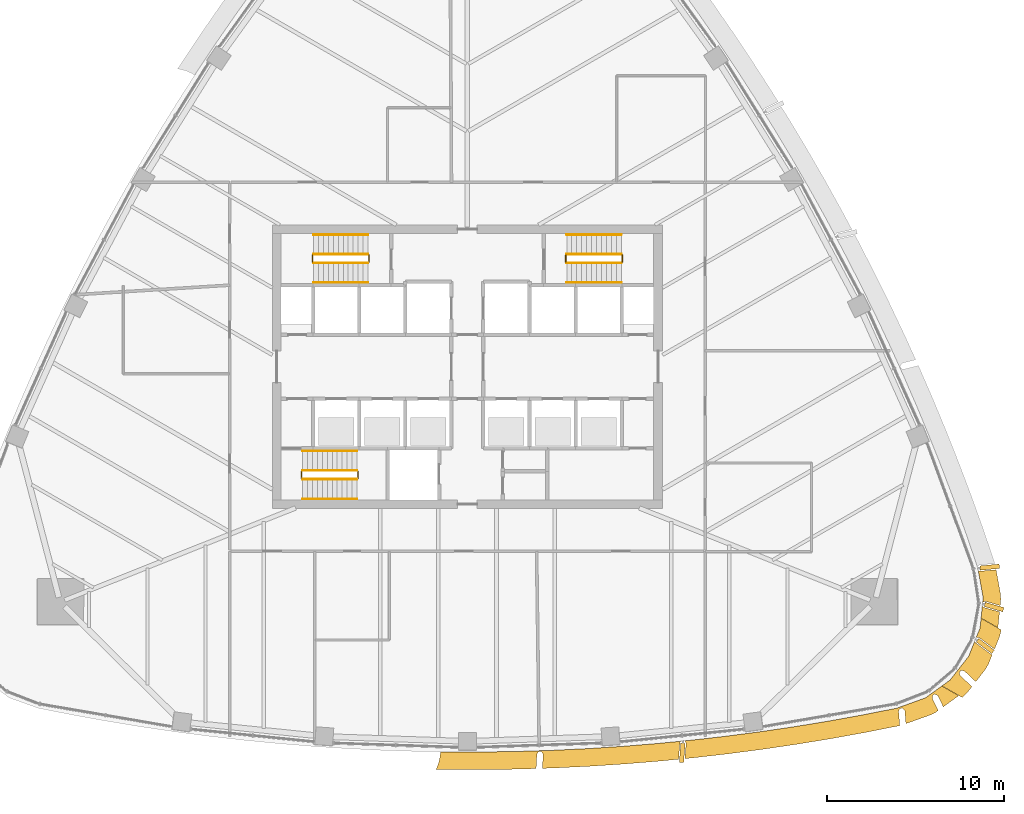
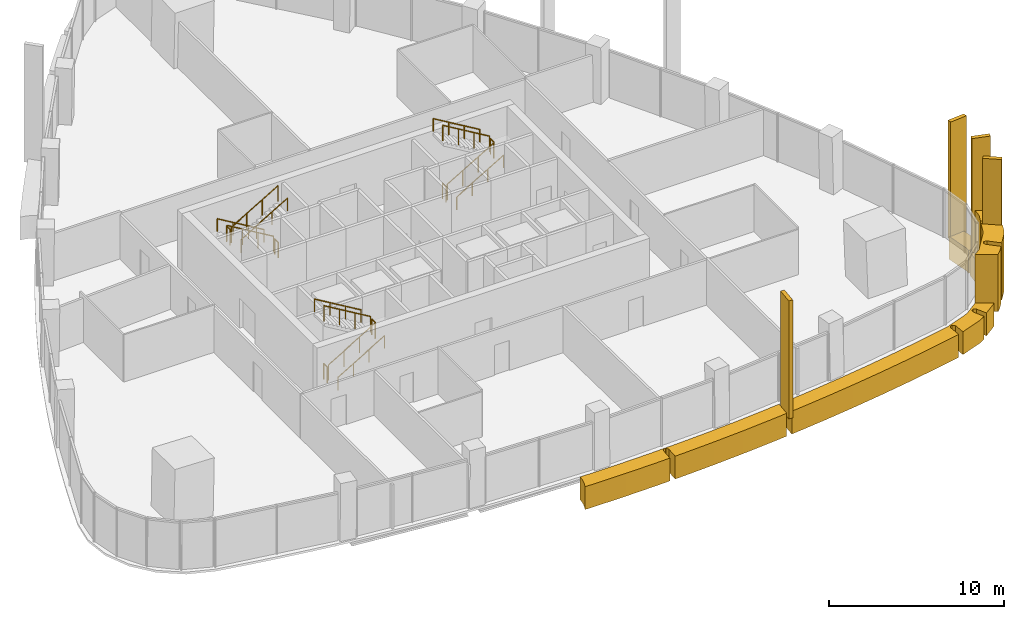
# One storey, part 15 of 17: 18 railings, 10 coverings.
"""IFC4 building model written with IfcOpenShell, lengths in metres."""

from ifc_helpers import new_model, si_unit, direction, frame, origin, origin_2d, place, context, subcontext, project, spatial, polyline, rectangle, circle, outline, extrude, material, layer, layer_set, material_profile, profile_set, type_object, element, save


model = new_model("IFC4")

# Units and contexts
model_context = context("Model", 3, precision=1e-05, world=origin(), true_north=direction((0.0, 1.0)))
body_context = subcontext(model_context, "Body", "Model", "MODEL_VIEW")
ifc_project = project(units=[si_unit("LENGTHUNIT", "METRE"), si_unit("AREAUNIT", "SQUARE_METRE"), si_unit("VOLUMEUNIT", "CUBIC_METRE"), si_unit("PLANEANGLEUNIT", "RADIAN"), si_unit("MASSUNIT", "GRAM", prefix="KILO")], contexts=[model_context])

# Site, building, storey
site_placement = place(None, origin())
site = spatial("IfcSite", under=ifc_project, at=site_placement, CompositionType="ELEMENT")
building_placement = place(site_placement, origin())
building = spatial("IfcBuilding", under=site, at=building_placement, Name="Sierra Prisma Convention Tower", CompositionType="ELEMENT")
storey_placement = place(building_placement, frame((0.0, 0.0, 201.800048828125)))
storey = spatial("IfcBuildingStorey", under=building, at=storey_placement, Name="L45", CompositionType="ELEMENT", Elevation=201.800048828125)

# Coverings
ifc_material_1 = material(Name="Aluminium composite bronze anodised", Category="aluminium")
ifc_layer_1 = layer(ifc_material_1, 1.199951171875)
ifc_layer_set_1 = layer_set([ifc_layer_1], Name="Bronze corner pier")
covering_type_1 = type_object("IfcCoveringType", Name="Bronze corner pier", PredefinedType="CLADDING", material=ifc_layer_set_1)
covering_1_placement = place(storey_placement, frame((0.0, 0.0, -0.60009765625)))
element("IfcCovering", 1, at=covering_1_placement, inside=storey, type_object=covering_type_1, Name="Corner pier SE L45.1", PredefinedType="CLADDING", context=body_context, shape_type="SweptSolid", body=[
    extrude(outline(polyline([(27.8369140625, -17.12353515625), (27.832275390625, -17.123779296875), (27.827392578125, -17.124755859375), (27.822998046875, -17.126220703125), (27.818359375, -17.1279296875), (27.814208984375, -17.130126953125), (27.81005859375, -17.1328125), (27.806396484375, -17.1357421875), (27.802978515625, -17.138916015625), (27.7998046875, -17.142578125), (27.73828125, -17.22119140625), (27.7353515625, -17.225341796875), (27.73291015625, -17.2294921875), (27.73095703125, -17.23388671875), (27.7294921875, -17.238525390625), (27.728271484375, -17.243408203125), (27.727783203125, -17.248046875), (27.7275390625, -17.2529296875), (27.727783203125, -17.2578125), (27.728515625, -17.2626953125), (27.72998046875, -17.267333984375), (27.769775390625, -17.393310546875), (27.771484375, -17.39794921875), (27.77392578125, -17.402587890625), (27.776611328125, -17.406982421875), (27.77978515625, -17.410888671875), (27.783203125, -17.41455078125), (28.4404296875, -18.02880859375), (28.146484375, -18.404052734375), (27.904296875, -18.63720703125), (27.893798828125, -18.644775390625), (26.754638671875, -17.987060546875), (27.20166015625, -17.664306640625), (28.25830078125, -16.31494140625), (28.597412109375, -15.47314453125), (28.632568359375, -15.5361328125), (28.63525390625, -15.54052734375), (28.638427734375, -15.544677734375), (28.64208984375, -15.548583984375), (28.64599609375, -15.5517578125), (29.525390625, -16.212890625), (29.529296875, -16.2158203125), (29.53369140625, -16.218017578125), (29.5380859375, -16.219970703125), (29.54296875, -16.221435546875), (29.547607421875, -16.222412109375), (29.552490234375, -16.222900390625), (29.5576171875, -16.222900390625), (29.562255859375, -16.222412109375), (29.567138671875, -16.2216796875), (29.572021484375, -16.22021484375), (29.576416015625, -16.21826171875), (29.580810546875, -16.216064453125), (29.5849609375, -16.21337890625), (29.588623046875, -16.210205078125), (29.59228515625, -16.206787109375), (29.59521484375, -16.202880859375), (29.598876953125, -16.1982421875), (29.37109375, -16.76318359375), (29.203125, -17.0546875), (28.656982421875, -17.751953125), (28.022216796875, -17.158935546875), (28.0185546875, -17.155517578125), (28.014404296875, -17.15283203125), (28.010009765625, -17.150390625), (28.005126953125, -17.1484375), (28.00048828125, -17.14697265625), (27.99560546875, -17.14599609375), (27.846435546875, -17.123779296875), (27.841796875, -17.12353515625), (27.8369140625, -17.12353515625)])), origin(), (0.0, 0.0, 1.0), 4.0),
])
covering_2_placement = place(storey_placement, frame((0.0, 0.0, -0.60009765625)))
element("IfcCovering", 2, at=covering_2_placement, inside=storey, type_object=covering_type_1, Name="Corner pier SE L45.2", PredefinedType="CLADDING", context=body_context, shape_type="SweptSolid", body=[
    extrude(outline(polyline([(28.847900390625, -15.266845703125), (28.843505859375, -15.264892578125), (28.838623046875, -15.263671875), (28.833740234375, -15.2626953125), (28.828857421875, -15.26220703125), (28.823974609375, -15.26220703125), (28.67919921875, -15.26953125), (28.898681640625, -14.72509765625), (28.95458984375, -14.176513671875), (30.09375, -14.834228515625), (30.09228515625, -14.84716796875), (30.01171875, -15.173583984375), (29.712646484375, -15.916015625), (28.8564453125, -15.272216796875), (28.852294921875, -15.269287109375), (28.847900390625, -15.266845703125)])), origin(), (0.0, 0.0, 1.0), 4.0),
])
ifc_material_2 = material(Name="Aluminium 6063-T6 bronze anodised", Category="aluminium")
ifc_material_profile = material_profile(ifc_material_2, rectangle(XDim=1.10009765625, YDim=0.25, at=origin_2d()), Name="ALU FIN 1100x250")
ifc_profile_set = profile_set([ifc_material_profile], Name="Aluminium 6063-T6 bronze anodised")
covering_type_2 = type_object("IfcCoveringType", Name="Bronze facade fin", PredefinedType="CLADDING", material=ifc_profile_set)
for number, where, z_axis, x_axis, name in (
    (3, (12.1083984375, -21.764892578125, -0.300048828125), (0.0, 0.0, 1.0), (-0.076754692567, -0.997050007356, 0.0), "Fin L45.14"),
    (4, (29.19091796875, -15.742431640625, -0.300048828125), (0.0, 0.0, 1.0), (0.799226135761, -0.6010304351, 0.0), "Fin L45.21"),
    (5, (29.684326171875, -13.54345703125, -0.300048828125), (0.0, 0.0, 1.0), (0.962069589913, -0.272804149832, 0.0), "Fin L45.22"),
    (6, (29.438720703125, -11.29638671875, -0.300048828125), (0.0, 0.0, 1.0), (0.99575473511, 0.092046224834, 0.0), "Fin L45.23"),
):
    element("IfcCovering", number, at=place(storey_placement, frame(where, z_axis=z_axis, x_axis=x_axis)), inside=storey, type_object=covering_type_2, Name=name, ObjectType="FIN", PredefinedType="CLADDING", context=body_context, shape_type="SweptSolid", body=[
        extrude(rectangle(XDim=1.10009765625, YDim=0.25, at=origin_2d()), origin(), (0.0, 0.0, 1.0), 8.25),
    ])
ifc_material_3 = material(Name="Aluminium composite bronze anodised", Category="aluminium")
ifc_layer_2 = layer(ifc_material_3, 1.0)
ifc_layer_set_2 = layer_set([ifc_layer_2], Name="Bronze spandrel band")
covering_type_3 = type_object("IfcCoveringType", Name="Bronze spandrel band", PredefinedType="CLADDING", material=ifc_layer_set_2)
covering_3_placement = place(storey_placement, frame((0.0, 0.0, -1.60009765625)))
element("IfcCovering", 7, at=covering_3_placement, inside=storey, type_object=covering_type_3, Name="Spandrel band L45.2", PredefinedType="CLADDING", context=body_context, shape_type="SweptSolid", body=[
    extrude(outline(polyline([(-0.974609375, -21.713134765625), (0.974609375, -21.713134765625), (2.923583984375, -21.681396484375), (4.8720703125, -21.617919921875), (6.819091796875, -21.522705078125), (8.76416015625, -21.39599609375), (10.70703125, -21.2373046875), (12.027099609375, -21.10791015625), (11.98291015625, -21.18115234375), (11.980712890625, -21.185302734375), (11.97900390625, -21.189453125), (11.9775390625, -21.19384765625), (11.9765625, -21.198486328125), (11.97607421875, -21.202880859375), (11.905029296875, -22.124755859375), (10.8046875, -22.232666015625), (10.78857421875, -22.23388671875), (8.845703125, -22.392578125), (8.829345703125, -22.393798828125), (6.884033203125, -22.5205078125), (6.867919921875, -22.521484375), (4.9208984375, -22.61669921875), (4.904541015625, -22.617431640625), (4.22509765625, -22.6396484375), (4.267578125, -21.864990234375), (4.267578125, -21.860107421875), (4.26708984375, -21.85498046875), (4.26611328125, -21.85009765625), (4.2646484375, -21.84521484375), (4.2626953125, -21.840576171875), (4.26025390625, -21.836181640625), (4.181396484375, -21.707763671875), (4.1787109375, -21.703857421875), (4.17578125, -21.7001953125), (4.17236328125, -21.69677734375), (4.168701171875, -21.693603515625), (4.16455078125, -21.691162109375), (4.160400390625, -21.688720703125), (4.156005859375, -21.68701171875), (4.1513671875, -21.685546875), (4.146728515625, -21.6845703125), (4.14208984375, -21.68408203125), (4.13720703125, -21.683837890625), (4.037353515625, -21.687255859375), (4.032470703125, -21.6875), (4.027587890625, -21.6884765625), (4.02294921875, -21.689697265625), (4.018310546875, -21.69140625), (4.01416015625, -21.693603515625), (4.010009765625, -21.6962890625), (4.006103515625, -21.69921875), (4.002685546875, -21.70263671875), (3.99951171875, -21.706298828125), (3.99658203125, -21.710205078125), (3.92578125, -21.82177734375), (3.923095703125, -21.826171875), (3.921142578125, -21.830810546875), (3.919677734375, -21.835693359375), (3.918701171875, -21.8408203125), (3.91796875, -21.845947265625), (3.873779296875, -22.65087890625), (2.956298828125, -22.680908203125), (2.93994140625, -22.681396484375), (0.990966796875, -22.712890625), (0.974609375, -22.713134765625), (-0.974609375, -22.713134765625), (-0.990966796875, -22.712890625), (-1.77197265625, -22.7001953125), (-1.741455078125, -22.64111328125), (-1.650390625, -22.411376953125), (-1.58251953125, -22.173828125), (-1.537841796875, -21.930908203125), (-1.51904296875, -21.704345703125), (-0.974609375, -21.713134765625)])), origin(), (0.0, 0.0, 1.0), 1.60009765625),
])
covering_4_placement = place(storey_placement, frame((0.0, 0.0, -1.60009765625)))
element("IfcCovering", 8, at=covering_4_placement, inside=storey, type_object=covering_type_3, Name="Spandrel band L45.9", PredefinedType="CLADDING", context=body_context, shape_type="SweptSolid", body=[
    extrude(outline(polyline([(29.171142578125, -13.2265625), (29.046630859375, -13.275390625), (29.07275390625, -13.020263671875), (28.792724609375, -11.477294921875), (28.88232421875, -11.517333984375), (28.88720703125, -11.51904296875), (28.89208984375, -11.5205078125), (28.897216796875, -11.521240234375), (28.902099609375, -11.521484375), (28.9072265625, -11.521484375), (29.802001953125, -11.438720703125), (30.056640625, -12.841796875), (30.0673828125, -13.121826171875), (30.032958984375, -13.46044921875), (29.202880859375, -13.22509765625), (29.198486328125, -13.22412109375), (29.19384765625, -13.223388671875), (29.189208984375, -13.22314453125), (29.1845703125, -13.223388671875), (29.179931640625, -13.22412109375), (29.175537109375, -13.22509765625), (29.171142578125, -13.2265625)])), origin(), (0.0, 0.0, 1.0), 1.60009765625),
])
covering_5_placement = place(storey_placement, frame((0.0, 0.0, -1.60009765625)))
element("IfcCovering", 9, at=covering_5_placement, inside=storey, type_object=covering_type_3, Name="Spandrel band L45.10", PredefinedType="CLADDING", context=body_context, shape_type="SweptSolid", body=[
    extrude(outline(polyline([(29.0947265625, -13.55615234375), (29.098876953125, -13.558349609375), (29.10302734375, -13.560302734375), (29.107421875, -13.561767578125), (29.996826171875, -13.81396484375), (29.905029296875, -14.7138671875), (28.955810546875, -14.165771484375), (29.0244140625, -13.492919921875), (29.08740234375, -13.550537109375), (29.091064453125, -13.553466796875), (29.0947265625, -13.55615234375)])), origin(), (0.0, 0.0, 1.0), 1.60009765625),
])
covering_6_placement = place(storey_placement, frame((0.0, 0.0, -1.60009765625)))
element("IfcCovering", 10, at=covering_6_placement, inside=storey, type_object=covering_type_3, Name="Spandrel band L45.11", PredefinedType="CLADDING", context=body_context, shape_type="SweptSolid", body=[
    extrude(outline(polyline([(26.52294921875, -18.54931640625), (26.52001953125, -18.5458984375), (26.516845703125, -18.54248046875), (26.51318359375, -18.53955078125), (26.509521484375, -18.536865234375), (26.50537109375, -18.53466796875), (26.36328125, -18.46240234375), (26.358642578125, -18.46044921875), (26.35400390625, -18.458740234375), (26.34912109375, -18.457763671875), (26.34423828125, -18.457275390625), (26.339111328125, -18.45703125), (26.334228515625, -18.45751953125), (26.329345703125, -18.458251953125), (26.32470703125, -18.459716796875), (26.320068359375, -18.46142578125), (26.3154296875, -18.4638671875), (26.311279296875, -18.466552734375), (26.230224609375, -18.52490234375), (26.226318359375, -18.5283203125), (26.22265625, -18.531982421875), (26.21923828125, -18.535888671875), (26.21630859375, -18.540283203125), (26.214111328125, -18.544921875), (26.212158203125, -18.549560546875), (26.210693359375, -18.5546875), (26.2099609375, -18.559814453125), (26.20947265625, -18.564697265625), (26.207763671875, -18.687255859375), (26.2080078125, -18.69189453125), (26.20849609375, -18.696533203125), (26.20947265625, -18.701171875), (26.2109375, -18.70556640625), (26.212890625, -18.709716796875), (26.5361328125, -19.37841796875), (26.397705078125, -19.478271484375), (26.149658203125, -19.60888671875), (24.71630859375, -20.122802734375), (24.657470703125, -19.40625), (24.65673828125, -19.4013671875), (24.655517578125, -19.396484375), (24.654052734375, -19.391845703125), (24.65185546875, -19.38720703125), (24.6494140625, -19.3828125), (24.646484375, -19.37890625), (24.643310546875, -19.375244140625), (24.525146484375, -19.255615234375), (24.521728515625, -19.25244140625), (24.517822265625, -19.24951171875), (24.513916015625, -19.2470703125), (24.509765625, -19.2451171875), (24.50537109375, -19.243408203125), (24.500732421875, -19.241943359375), (24.49609375, -19.2412109375), (24.4912109375, -19.24072265625), (24.486572265625, -19.24072265625), (24.48193359375, -19.241455078125), (24.477294921875, -19.2421875), (24.47265625, -19.24365234375), (24.378662109375, -19.27734375), (24.3740234375, -19.279296875), (24.36962890625, -19.281494140625), (24.365478515625, -19.284423828125), (24.36181640625, -19.28759765625), (24.358154296875, -19.291015625), (24.35498046875, -19.294921875), (24.352294921875, -19.299072265625), (24.35009765625, -19.303466796875), (24.34814453125, -19.30810546875), (24.311279296875, -19.414306640625), (24.309814453125, -19.41943359375), (24.308837890625, -19.424560546875), (24.308349609375, -19.4296875), (24.30859375, -19.434814453125), (24.3740234375, -20.23046875), (22.48095703125, -20.605224609375), (22.46484375, -20.6083984375), (20.546875, -20.95556640625), (20.53076171875, -20.958251953125), (18.607177734375, -21.2744140625), (18.591064453125, -21.27685546875), (16.66259765625, -21.5615234375), (16.646484375, -21.563720703125), (14.713623046875, -21.81689453125), (14.697509765625, -21.819091796875), (12.760986328125, -22.040771484375), (12.74462890625, -22.04248046875), (12.2587890625, -22.090087890625), (12.324951171875, -21.22998046875), (12.3251953125, -21.22509765625), (12.32470703125, -21.220703125), (12.32421875, -21.216064453125), (12.322998046875, -21.21142578125), (12.3212890625, -21.20703125), (12.319580078125, -21.202880859375), (12.317138671875, -21.198974609375), (12.244384765625, -21.086669921875), (12.647216796875, -21.047119140625), (14.583740234375, -20.825439453125), (16.5166015625, -20.572265625), (18.445068359375, -20.28759765625), (20.36865234375, -19.9716796875), (22.286865234375, -19.624267578125), (24.198974609375, -19.245849609375), (25.812255859375, -18.66748046875), (26.74560546875, -17.99365234375), (27.695068359375, -18.54150390625), (26.824462890625, -19.170166015625), (26.52783203125, -18.557373046875), (26.525634765625, -18.55322265625), (26.52294921875, -18.54931640625)])), origin(), (0.0, 0.0, 1.0), 1.60009765625),
])

# Railings
ifc_material_4 = material(Name="Stainless steel", Category="steel")
railing_type_1 = type_object("IfcRailingType", Name="Exit stair handrail", PredefinedType="HANDRAIL", material=ifc_material_4)
railing_1_placement = place(storey_placement, frame((-9.300048828125, -7.449951171875, 0.16650390625)))
element("IfcRailing", 11, at=railing_1_placement, inside=storey, type_object=railing_type_1, Name="L45 S1 stair handrail 1", PredefinedType="HANDRAIL", context=body_context, shape_type="SweptSolid", body=[
    extrude(circle(Radius=0.02392578125, at=origin_2d()), frame((0.0, 0.0, 0.8759765625), z_axis=(0.85927862911, 0.0, 0.511507807912), x_axis=(0.0, 1.0, 0.0)), (0.0, 0.0, 1.0), 3.58447265625),
    extrude(circle(Radius=0.02099609375, at=origin_2d()), origin(), (0.0, 0.0, 1.0), 0.851806640625),
    extrude(circle(Radius=0.02099609375, at=origin_2d()), frame((1.026611328125, 0.0, 0.611083984375)), (0.0, 0.0, 1.0), 0.851806640625),
    extrude(circle(Radius=0.02099609375, at=origin_2d()), frame((2.053466796875, 0.0, 1.222412109375)), (0.0, 0.0, 1.0), 0.851806640625),
    extrude(circle(Radius=0.02099609375, at=origin_2d()), frame((3.080078125, 0.0, 1.83349609375)), (0.0, 0.0, 1.0), 0.851806640625),
])
railing_2_placement = place(storey_placement, frame((-6.219970703125, -4.75, 2.16650390625)))
element("IfcRailing", 12, at=railing_2_placement, inside=storey, type_object=railing_type_1, Name="L45 S1 stair handrail 2", PredefinedType="HANDRAIL", context=body_context, shape_type="SweptSolid", body=[
    extrude(circle(Radius=0.02392578125, at=origin_2d()), frame((0.0, 0.0, 0.8759765625), z_axis=(-0.85927862911, 0.0, 0.511507807912), x_axis=(0.0, -1.0, 0.0)), (0.0, 0.0, 1.0), 3.58447265625),
    extrude(circle(Radius=0.02099609375, at=origin_2d()), origin(), (0.0, 0.0, 1.0), 0.851806640625),
    extrude(circle(Radius=0.02099609375, at=origin_2d()), frame((-1.026611328125, 0.0, 0.611083984375)), (0.0, 0.0, 1.0), 0.851806640625),
    extrude(circle(Radius=0.02099609375, at=origin_2d()), frame((-2.053466796875, 0.0, 1.222412109375)), (0.0, 0.0, 1.0), 0.851806640625),
    extrude(circle(Radius=0.02099609375, at=origin_2d()), frame((-3.080078125, 0.0, 1.83349609375)), (0.0, 0.0, 1.0), 0.851806640625),
])
railing_3_placement = place(storey_placement, frame((-5.60009765625, 7.449951171875, 0.16650390625)))
element("IfcRailing", 13, at=railing_3_placement, inside=storey, type_object=railing_type_1, Name="L45 S3 stair handrail 1", PredefinedType="HANDRAIL", context=body_context, shape_type="SweptSolid", body=[
    extrude(circle(Radius=0.02392578125, at=origin_2d()), frame((0.0, 0.0, 0.8759765625), z_axis=(-0.859260807169, 0.0, 0.511537745687), x_axis=(0.0, -1.0, 0.0)), (0.0, 0.0, 1.0), 3.584228515625),
    extrude(circle(Radius=0.02099609375, at=origin_2d()), origin(), (0.0, 0.0, 1.0), 0.851806640625),
    extrude(circle(Radius=0.02099609375, at=origin_2d()), frame((-1.026611328125, 0.0, 0.611083984375)), (0.0, 0.0, 1.0), 0.851806640625),
    extrude(circle(Radius=0.02099609375, at=origin_2d()), frame((-2.05322265625, 0.0, 1.222412109375)), (0.0, 0.0, 1.0), 0.851806640625),
    extrude(circle(Radius=0.02099609375, at=origin_2d()), frame((-3.079833984375, 0.0, 1.83349609375)), (0.0, 0.0, 1.0), 0.851806640625),
])
for number, where, name in (
    (14, (-8.679931640625, 4.75, 2.16650390625), "L45 S3 stair handrail 2"),
    (15, (5.60009765625, 4.75, 0.16650390625), "L45 S4 stair handrail 1"),
):
    element("IfcRailing", number, at=place(storey_placement, frame(where)), inside=storey, type_object=railing_type_1, Name=name, PredefinedType="HANDRAIL", context=body_context, shape_type="SweptSolid", body=[
        extrude(circle(Radius=0.02392578125, at=origin_2d()), frame((0.0, 0.0, 0.8759765625), z_axis=(0.859260807169, 0.0, 0.511537745687), x_axis=(0.0, 1.0, 0.0)), (0.0, 0.0, 1.0), 3.584228515625),
        extrude(circle(Radius=0.02099609375, at=origin_2d()), origin(), (0.0, 0.0, 1.0), 0.851806640625),
        extrude(circle(Radius=0.02099609375, at=origin_2d()), frame((1.026611328125, 0.0, 0.611083984375)), (0.0, 0.0, 1.0), 0.851806640625),
        extrude(circle(Radius=0.02099609375, at=origin_2d()), frame((2.05322265625, 0.0, 1.222412109375)), (0.0, 0.0, 1.0), 0.851806640625),
        extrude(circle(Radius=0.02099609375, at=origin_2d()), frame((3.079833984375, 0.0, 1.83349609375)), (0.0, 0.0, 1.0), 0.851806640625),
    ])
railing_4_placement = place(storey_placement, frame((8.679931640625, 7.449951171875, 2.16650390625)))
element("IfcRailing", 16, at=railing_4_placement, inside=storey, type_object=railing_type_1, Name="L45 S4 stair handrail 2", PredefinedType="HANDRAIL", context=body_context, shape_type="SweptSolid", body=[
    extrude(circle(Radius=0.02392578125, at=origin_2d()), frame((0.0, 0.0, 0.8759765625), z_axis=(-0.859260807169, 0.0, 0.511537745687), x_axis=(0.0, -1.0, 0.0)), (0.0, 0.0, 1.0), 3.584228515625),
    extrude(circle(Radius=0.02099609375, at=origin_2d()), origin(), (0.0, 0.0, 1.0), 0.851806640625),
    extrude(circle(Radius=0.02099609375, at=origin_2d()), frame((-1.026611328125, 0.0, 0.611083984375)), (0.0, 0.0, 1.0), 0.851806640625),
    extrude(circle(Radius=0.02099609375, at=origin_2d()), frame((-2.05322265625, 0.0, 1.222412109375)), (0.0, 0.0, 1.0), 0.851806640625),
    extrude(circle(Radius=0.02099609375, at=origin_2d()), frame((-3.079833984375, 0.0, 1.83349609375)), (0.0, 0.0, 1.0), 0.851806640625),
])
ifc_material_5 = material(Name="Stainless steel", Category="steel")
railing_type_2 = type_object("IfcRailingType", Name="Stair guard 1100", PredefinedType="GUARDRAIL", material=ifc_material_5)
railing_5_placement = place(storey_placement, frame((-9.300048828125, -6.35009765625, 0.16650390625)))
element("IfcRailing", 17, at=railing_5_placement, inside=storey, type_object=railing_type_2, Name="L45 S1 stair guard 1", PredefinedType="GUARDRAIL", context=body_context, shape_type="SweptSolid", body=[
    extrude(circle(Radius=0.02392578125, at=origin_2d()), frame((0.0, 0.0, 1.076171875), z_axis=(0.85927862911, 0.0, 0.511507807912), x_axis=(0.0, 1.0, 0.0)), (0.0, 0.0, 1.0), 3.58447265625),
    extrude(circle(Radius=0.02099609375, at=origin_2d()), origin(), (0.0, 0.0, 1.0), 1.052001953125),
    extrude(circle(Radius=0.02099609375, at=origin_2d()), frame((1.026611328125, 0.0, 0.611083984375)), (0.0, 0.0, 1.0), 1.052001953125),
    extrude(circle(Radius=0.02099609375, at=origin_2d()), frame((2.053466796875, 0.0, 1.222412109375)), (0.0, 0.0, 1.0), 1.052001953125),
    extrude(circle(Radius=0.02099609375, at=origin_2d()), frame((3.080078125, 0.0, 1.83349609375)), (0.0, 0.0, 1.0), 1.052001953125),
])
railing_6_placement = place(storey_placement, frame((-6.169921875, -6.300048828125, 2.0)))
element("IfcRailing", 18, at=railing_6_placement, inside=storey, type_object=railing_type_2, Name="L45 S1 stair guard 2", PredefinedType="GUARDRAIL", context=body_context, shape_type="SweptSolid", body=[
    extrude(circle(Radius=0.02392578125, at=origin_2d()), frame((0.0, 0.0, 1.076171875), z_axis=(0.0, 1.0, 0.0), x_axis=(-1.0, 0.0, 0.0)), (0.0, 0.0, 1.0), 0.400146484375),
    extrude(circle(Radius=0.02099609375, at=origin_2d()), origin(), (0.0, 0.0, 1.0), 1.052001953125),
    extrude(circle(Radius=0.02099609375, at=origin_2d()), frame((0.0, 0.400146484375, 0.0)), (0.0, 0.0, 1.0), 1.052001953125),
])
railing_7_placement = place(storey_placement, frame((-6.219970703125, -5.85009765625, 2.16650390625)))
element("IfcRailing", 19, at=railing_7_placement, inside=storey, type_object=railing_type_2, Name="L45 S1 stair guard 3", PredefinedType="GUARDRAIL", context=body_context, shape_type="SweptSolid", body=[
    extrude(circle(Radius=0.02392578125, at=origin_2d()), frame((0.0, 0.0, 1.076171875), z_axis=(-0.85927862911, 0.0, 0.511507807912), x_axis=(0.0, -1.0, 0.0)), (0.0, 0.0, 1.0), 3.58447265625),
    extrude(circle(Radius=0.02099609375, at=origin_2d()), origin(), (0.0, 0.0, 1.0), 1.052001953125),
    extrude(circle(Radius=0.02099609375, at=origin_2d()), frame((-1.026611328125, 0.0, 0.611083984375)), (0.0, 0.0, 1.0), 1.052001953125),
    extrude(circle(Radius=0.02099609375, at=origin_2d()), frame((-2.053466796875, 0.0, 1.222412109375)), (0.0, 0.0, 1.0), 1.052001953125),
    extrude(circle(Radius=0.02099609375, at=origin_2d()), frame((-3.080078125, 0.0, 1.83349609375)), (0.0, 0.0, 1.0), 1.052001953125),
])
railing_8_placement = place(storey_placement, frame((-9.35009765625, -6.300048828125, 0.0)))
element("IfcRailing", 20, at=railing_8_placement, inside=storey, type_object=railing_type_2, Name="L45 S1 stair guard 4", PredefinedType="GUARDRAIL", context=body_context, shape_type="SweptSolid", body=[
    extrude(circle(Radius=0.02392578125, at=origin_2d()), frame((0.0, 0.0, 1.076171875), z_axis=(0.0, 1.0, 0.0), x_axis=(-1.0, 0.0, 0.0)), (0.0, 0.0, 1.0), 0.400146484375),
    extrude(circle(Radius=0.02099609375, at=origin_2d()), origin(), (0.0, 0.0, 1.0), 1.052001953125),
    extrude(circle(Radius=0.02099609375, at=origin_2d()), frame((0.0, 0.400146484375, 0.0)), (0.0, 0.0, 1.0), 1.052001953125),
])
railing_9_placement = place(storey_placement, frame((-5.60009765625, 6.35009765625, 0.16650390625)))
element("IfcRailing", 21, at=railing_9_placement, inside=storey, type_object=railing_type_2, Name="L45 S3 stair guard 1", PredefinedType="GUARDRAIL", context=body_context, shape_type="SweptSolid", body=[
    extrude(circle(Radius=0.02392578125, at=origin_2d()), frame((0.0, 0.0, 1.076171875), z_axis=(-0.859260807169, 0.0, 0.511537745687), x_axis=(0.0, -1.0, 0.0)), (0.0, 0.0, 1.0), 3.584228515625),
    extrude(circle(Radius=0.02099609375, at=origin_2d()), origin(), (0.0, 0.0, 1.0), 1.052001953125),
    extrude(circle(Radius=0.02099609375, at=origin_2d()), frame((-1.026611328125, 0.0, 0.611083984375)), (0.0, 0.0, 1.0), 1.052001953125),
    extrude(circle(Radius=0.02099609375, at=origin_2d()), frame((-2.05322265625, 0.0, 1.222412109375)), (0.0, 0.0, 1.0), 1.052001953125),
    extrude(circle(Radius=0.02099609375, at=origin_2d()), frame((-3.079833984375, 0.0, 1.83349609375)), (0.0, 0.0, 1.0), 1.052001953125),
])
railing_10_placement = place(storey_placement, frame((-8.72998046875, 6.300048828125, 2.0)))
element("IfcRailing", 22, at=railing_10_placement, inside=storey, type_object=railing_type_2, Name="L45 S3 stair guard 2", PredefinedType="GUARDRAIL", context=body_context, shape_type="SweptSolid", body=[
    extrude(circle(Radius=0.02392578125, at=origin_2d()), frame((0.0, 0.0, 1.076171875), z_axis=(0.0, -1.0, 0.0), x_axis=(1.0, 0.0, 0.0)), (0.0, 0.0, 1.0), 0.400146484375),
    extrude(circle(Radius=0.02099609375, at=origin_2d()), origin(), (0.0, 0.0, 1.0), 1.052001953125),
    extrude(circle(Radius=0.02099609375, at=origin_2d()), frame((0.0, -0.400146484375, 0.0)), (0.0, 0.0, 1.0), 1.052001953125),
])
railing_11_placement = place(storey_placement, frame((-8.679931640625, 5.85009765625, 2.16650390625)))
element("IfcRailing", 23, at=railing_11_placement, inside=storey, type_object=railing_type_2, Name="L45 S3 stair guard 3", PredefinedType="GUARDRAIL", context=body_context, shape_type="SweptSolid", body=[
    extrude(circle(Radius=0.02392578125, at=origin_2d()), frame((0.0, 0.0, 1.076171875), z_axis=(0.859260807169, 0.0, 0.511537745687), x_axis=(0.0, 1.0, 0.0)), (0.0, 0.0, 1.0), 3.584228515625),
    extrude(circle(Radius=0.02099609375, at=origin_2d()), origin(), (0.0, 0.0, 1.0), 1.052001953125),
    extrude(circle(Radius=0.02099609375, at=origin_2d()), frame((1.026611328125, 0.0, 0.611083984375)), (0.0, 0.0, 1.0), 1.052001953125),
    extrude(circle(Radius=0.02099609375, at=origin_2d()), frame((2.05322265625, 0.0, 1.222412109375)), (0.0, 0.0, 1.0), 1.052001953125),
    extrude(circle(Radius=0.02099609375, at=origin_2d()), frame((3.079833984375, 0.0, 1.83349609375)), (0.0, 0.0, 1.0), 1.052001953125),
])
railing_12_placement = place(storey_placement, frame((-5.550048828125, 6.300048828125, 0.0)))
element("IfcRailing", 24, at=railing_12_placement, inside=storey, type_object=railing_type_2, Name="L45 S3 stair guard 4", PredefinedType="GUARDRAIL", context=body_context, shape_type="SweptSolid", body=[
    extrude(circle(Radius=0.02392578125, at=origin_2d()), frame((0.0, 0.0, 1.076171875), z_axis=(0.0, -1.0, 0.0), x_axis=(1.0, 0.0, 0.0)), (0.0, 0.0, 1.0), 0.400146484375),
    extrude(circle(Radius=0.02099609375, at=origin_2d()), origin(), (0.0, 0.0, 1.0), 1.052001953125),
    extrude(circle(Radius=0.02099609375, at=origin_2d()), frame((0.0, -0.400146484375, 0.0)), (0.0, 0.0, 1.0), 1.052001953125),
])
railing_13_placement = place(storey_placement, frame((5.60009765625, 5.85009765625, 0.16650390625)))
element("IfcRailing", 25, at=railing_13_placement, inside=storey, type_object=railing_type_2, Name="L45 S4 stair guard 1", PredefinedType="GUARDRAIL", context=body_context, shape_type="SweptSolid", body=[
    extrude(circle(Radius=0.02392578125, at=origin_2d()), frame((0.0, 0.0, 1.076171875), z_axis=(0.859260807169, 0.0, 0.511537745687), x_axis=(0.0, 1.0, 0.0)), (0.0, 0.0, 1.0), 3.584228515625),
    extrude(circle(Radius=0.02099609375, at=origin_2d()), origin(), (0.0, 0.0, 1.0), 1.052001953125),
    extrude(circle(Radius=0.02099609375, at=origin_2d()), frame((1.026611328125, 0.0, 0.611083984375)), (0.0, 0.0, 1.0), 1.052001953125),
    extrude(circle(Radius=0.02099609375, at=origin_2d()), frame((2.05322265625, 0.0, 1.222412109375)), (0.0, 0.0, 1.0), 1.052001953125),
    extrude(circle(Radius=0.02099609375, at=origin_2d()), frame((3.079833984375, 0.0, 1.83349609375)), (0.0, 0.0, 1.0), 1.052001953125),
])
railing_14_placement = place(storey_placement, frame((8.72998046875, 5.89990234375, 2.0)))
element("IfcRailing", 26, at=railing_14_placement, inside=storey, type_object=railing_type_2, Name="L45 S4 stair guard 2", PredefinedType="GUARDRAIL", context=body_context, shape_type="SweptSolid", body=[
    extrude(circle(Radius=0.02392578125, at=origin_2d()), frame((0.0, 0.0, 1.076171875), z_axis=(0.0, 1.0, 0.0), x_axis=(-1.0, 0.0, 0.0)), (0.0, 0.0, 1.0), 0.400146484375),
    extrude(circle(Radius=0.02099609375, at=origin_2d()), origin(), (0.0, 0.0, 1.0), 1.052001953125),
    extrude(circle(Radius=0.02099609375, at=origin_2d()), frame((0.0, 0.400146484375, 0.0)), (0.0, 0.0, 1.0), 1.052001953125),
])
railing_15_placement = place(storey_placement, frame((8.679931640625, 6.35009765625, 2.16650390625)))
element("IfcRailing", 27, at=railing_15_placement, inside=storey, type_object=railing_type_2, Name="L45 S4 stair guard 3", PredefinedType="GUARDRAIL", context=body_context, shape_type="SweptSolid", body=[
    extrude(circle(Radius=0.02392578125, at=origin_2d()), frame((0.0, 0.0, 1.076171875), z_axis=(-0.859260807169, 0.0, 0.511537745687), x_axis=(0.0, -1.0, 0.0)), (0.0, 0.0, 1.0), 3.584228515625),
    extrude(circle(Radius=0.02099609375, at=origin_2d()), origin(), (0.0, 0.0, 1.0), 1.052001953125),
    extrude(circle(Radius=0.02099609375, at=origin_2d()), frame((-1.026611328125, 0.0, 0.611083984375)), (0.0, 0.0, 1.0), 1.052001953125),
    extrude(circle(Radius=0.02099609375, at=origin_2d()), frame((-2.05322265625, 0.0, 1.222412109375)), (0.0, 0.0, 1.0), 1.052001953125),
    extrude(circle(Radius=0.02099609375, at=origin_2d()), frame((-3.079833984375, 0.0, 1.83349609375)), (0.0, 0.0, 1.0), 1.052001953125),
])
railing_16_placement = place(storey_placement, frame((5.550048828125, 5.89990234375, 0.0)))
element("IfcRailing", 28, at=railing_16_placement, inside=storey, type_object=railing_type_2, Name="L45 S4 stair guard 4", PredefinedType="GUARDRAIL", context=body_context, shape_type="SweptSolid", body=[
    extrude(circle(Radius=0.02392578125, at=origin_2d()), frame((0.0, 0.0, 1.076171875), z_axis=(0.0, 1.0, 0.0), x_axis=(-1.0, 0.0, 0.0)), (0.0, 0.0, 1.0), 0.400146484375),
    extrude(circle(Radius=0.02099609375, at=origin_2d()), origin(), (0.0, 0.0, 1.0), 1.052001953125),
    extrude(circle(Radius=0.02099609375, at=origin_2d()), frame((0.0, 0.400146484375, 0.0)), (0.0, 0.0, 1.0), 1.052001953125),
])

save(model, "model.ifc")
